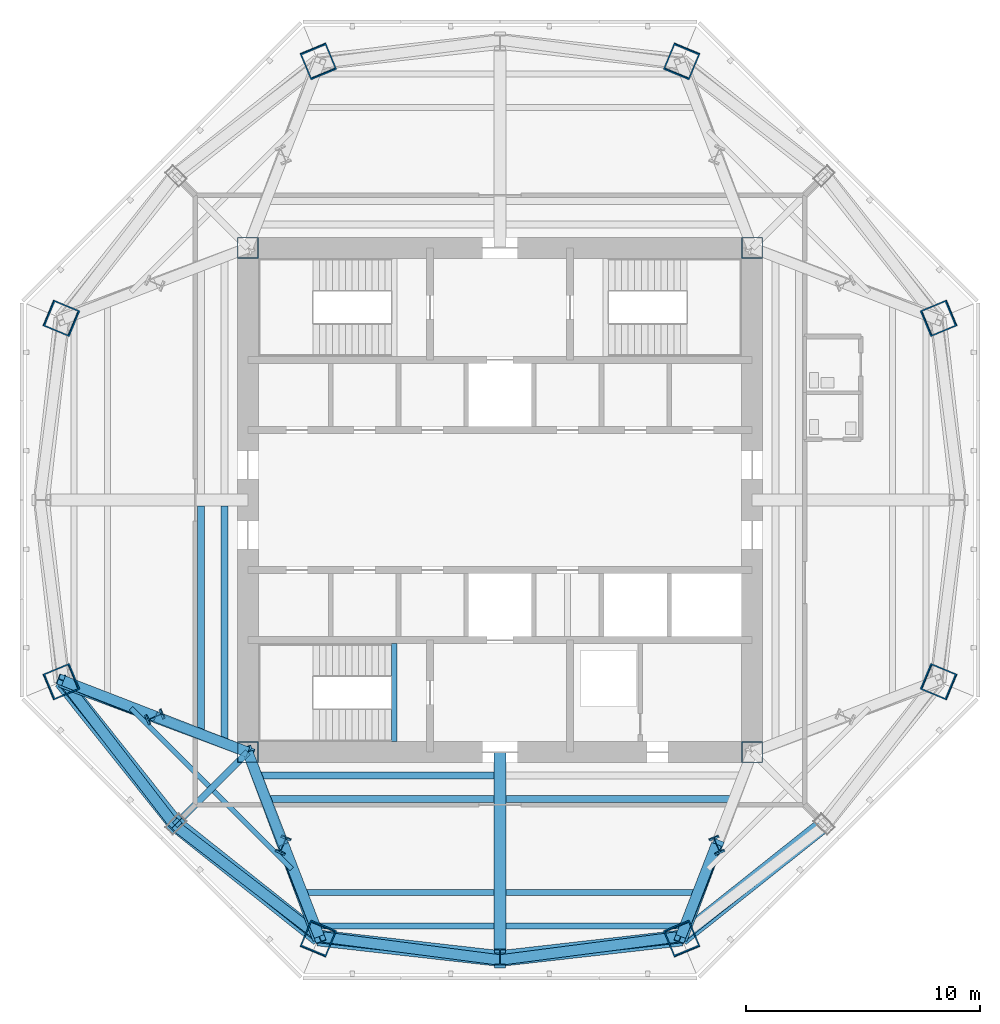
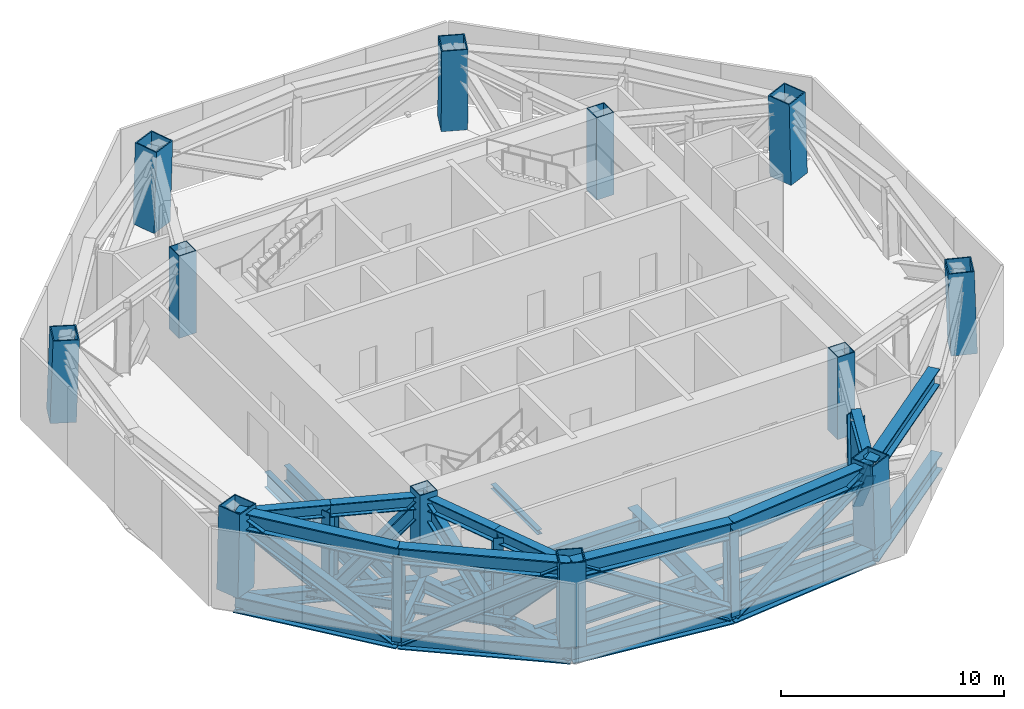
# One storey, part 1 of 9: 34 members, 14 beams, 12 columns.
"""IFC4 building model written with IfcOpenShell, lengths in metres."""

from ifc_helpers import new_model, si_unit, direction, frame, origin, origin_2d, place, context, subcontext, project, spatial, hollow_rectangle, i_section, extrude, source, transform, mapped, material, material_profile, profile_set, type_object, type_shapes, element, save


model = new_model("IFC4")

# Units and contexts
model_context = context("Model", 3, precision=1e-05, world=origin(), true_north=direction((0.0, 1.0)))
body_context = subcontext(model_context, "Body", "Model", "MODEL_VIEW")
ifc_project = project(units=[si_unit("LENGTHUNIT", "METRE"), si_unit("AREAUNIT", "SQUARE_METRE"), si_unit("VOLUMEUNIT", "CUBIC_METRE"), si_unit("PLANEANGLEUNIT", "RADIAN"), si_unit("MASSUNIT", "GRAM", prefix="KILO")], contexts=[model_context])

# Site, building, storey
site_placement = place(None, origin())
site = spatial("IfcSite", under=ifc_project, at=site_placement, CompositionType="ELEMENT")
building_placement = place(site_placement, origin())
building = spatial("IfcBuilding", under=site, at=building_placement, Name="Mashrafa Tower", CompositionType="ELEMENT")
storey_placement = place(building_placement, frame((0.0, 0.0, 266.300048828125)))
storey = spatial("IfcBuildingStorey", under=building, at=storey_placement, Name="L64", CompositionType="ELEMENT", Elevation=266.300048828125)

# Columns
ifc_material_1 = material(Name="Steel ASTM A572 Gr 50", Category="steel")
ifc_material_profile_1 = material_profile(ifc_material_1, hollow_rectangle(XDim=0.89990234375, YDim=0.89990234375, WallThickness=0.0400390625, at=origin_2d()), Name="BOX900X900X40")
ifc_profile_set_1 = profile_set([ifc_material_profile_1], Name="Steel ASTM A572 Gr 50")
column_type_1 = type_object("IfcColumnType", Name="Core corner column BOX900X900X40", PredefinedType="COLUMN", material=ifc_profile_set_1)
for number, where, z_axis, x_axis, name in (
    (1, (10.800048828125, 10.800048828125, 0.0), (0.0, 0.0, 1.0), (1.0, 0.0, 0.0), "Core corner column CC-NE L64"),
    (2, (-10.800048828125, 10.800048828125, 0.0), (0.0, 0.0, 1.0), (1.0, 0.0, 0.0), "Core corner column CC-NW L64"),
    (3, (-10.800048828125, -10.800048828125, 0.0), (0.0, 0.0, 1.0), (1.0, 0.0, 0.0), "Core corner column CC-SW L64"),
    (4, (10.800048828125, -10.800048828125, 0.0), (0.0, 0.0, 1.0), (1.0, 0.0, 0.0), "Core corner column CC-SE L64"),
):
    element("IfcColumn", number, at=place(storey_placement, frame(where, z_axis=z_axis, x_axis=x_axis)), inside=storey, type_object=column_type_1, Name=name, PredefinedType="COLUMN", context=body_context, shape_type="SweptSolid", body=[
        extrude(hollow_rectangle(XDim=0.89990234375, YDim=0.89990234375, WallThickness=0.0400390625, at=origin_2d()), origin(), (0.0, 0.0, 1.0), 4.5),
    ])
ifc_material_2 = material(Name="Steel ASTM A572 Gr 50", Category="steel")
ifc_material_profile_2 = material_profile(ifc_material_2, hollow_rectangle(XDim=1.199951171875, YDim=1.199951171875, WallThickness=0.054931640625, at=origin_2d()), Name="BOX1200X1200X55")
ifc_profile_set_2 = profile_set([ifc_material_profile_2], Name="Steel ASTM A572 Gr 50")
column_type_2 = type_object("IfcColumnType", Name="Mega column CFST BOX1200X1200X55", PredefinedType="COLUMN", material=ifc_profile_set_2)
for number, where, z_axis, x_axis, name in (
    (5, (18.80322265625, 7.78857421875, 0.0), (-0.028252835569, -0.011713267721, 0.999532178893), (0.38297812142, -0.923757413239, 0.0), "Mega column MC1 L64"),
    (6, (7.78857421875, 18.80322265625, 0.0), (-0.011713267721, -0.028252835569, 0.999532178893), (0.923757413239, -0.38297812142, 0.0), "Mega column MC2 L64"),
    (7, (-7.78857421875, 18.80322265625, 0.0), (0.011713267721, -0.028252835569, 0.999532178893), (0.923757413239, 0.38297812142, 0.0), "Mega column MC3 L64"),
    (8, (-18.80322265625, 7.78857421875, 0.0), (0.028252835569, -0.011713267721, 0.999532178893), (0.38297812142, 0.923757413239, 0.0), "Mega column MC4 L64"),
    (9, (-18.80322265625, -7.78857421875, 0.0), (0.028252835569, 0.011713267721, 0.999532178893), (-0.38297812142, 0.923757413239, 0.0), "Mega column MC5 L64"),
    (10, (-7.78857421875, -18.80322265625, 0.0), (0.011713267721, 0.028252835569, 0.999532178893), (-0.923757413239, 0.38297812142, 0.0), "Mega column MC6 L64"),
    (11, (7.78857421875, -18.80322265625, 0.0), (-0.011713267721, 0.028252835569, 0.999532178893), (-0.923757413239, -0.38297812142, 0.0), "Mega column MC7 L64"),
    (12, (18.80322265625, -7.78857421875, 0.0), (-0.028252835569, 0.011713267721, 0.999532178893), (-0.38297812142, -0.923757413239, 0.0), "Mega column MC8 L64"),
):
    element("IfcColumn", number, at=place(storey_placement, frame(where, z_axis=z_axis, x_axis=x_axis)), inside=storey, type_object=column_type_2, Name=name, PredefinedType="COLUMN", context=body_context, shape_type="SweptSolid", body=[
        extrude(hollow_rectangle(XDim=1.199951171875, YDim=1.199951171875, WallThickness=0.054931640625, at=origin_2d()), origin(), (0.0, 0.0, 1.0), 4.502197265625),
    ])

# Beams
ifc_material_3 = material(Name="Steel ASTM A572 Gr 50", Category="steel")
ifc_material_profile_3 = material_profile(ifc_material_3, i_section(OverallWidth=0.5, OverallDepth=1.10009765625, WebThickness=0.02490234375, FlangeThickness=0.050048828125, at=origin_2d()), Name="H1100X500X25X50")
ifc_profile_set_3 = profile_set([ifc_material_profile_3], Name="Steel ASTM A572 Gr 50")
beam_type_1 = type_object("IfcBeamType", Name="Beam H1100X500X25X50", PredefinedType="BEAM", material=ifc_profile_set_3)
beam_1_placement = place(storey_placement, frame((0.0, -10.800048828125, -0.800048828125), z_axis=(0.0, -1.0, 0.0), x_axis=(1.0, 0.0, 0.0)))
element("IfcBeam", 13, at=beam_1_placement, inside=storey, type_object=beam_type_1, Name="Radial girder L64 044", PredefinedType="BEAM", context=body_context, shape_type="SweptSolid", body=[
    extrude(i_section(OverallWidth=0.5, OverallDepth=1.10009765625, WebThickness=0.02490234375, FlangeThickness=0.050048828125, at=origin_2d()), origin(), (0.0, 0.0, 1.0), 8.888427734375),
])
ifc_material_4 = material(Name="Steel ASTM A992", Category="steel")
ifc_material_profile_4 = material_profile(ifc_material_4, i_section(OverallWidth=0.209228515625, OverallDepth=0.533447265625, WebThickness=0.01025390625, FlangeThickness=0.015625, FilletRadius=0.012939453125, at=origin_2d()), Name="W21X62")
ifc_profile_set_4 = profile_set([ifc_material_profile_4], Name="Steel ASTM A992")
beam_type_2 = type_object("IfcBeamType", Name="Beam W21X62", PredefinedType="BEAM", material=ifc_profile_set_4)
for number, where, z_axis, x_axis, name in (
    (14, (-12.46435546875, -12.2578125, -0.516845703125), (-0.707080903063, 0.707132658363, 0.0), (-0.707132658363, -0.707080903063, 0.0), "Floor beam L64 008"),
    (15, (-8.922119140625, -15.7998046875, -0.516845703125), (-0.707132658363, 0.707080903063, 0.0), (-0.707080903063, -0.707132658363, 0.0), "Floor beam L64 014"),
):
    element("IfcBeam", number, at=place(storey_placement, frame(where, z_axis=z_axis, x_axis=x_axis)), inside=storey, type_object=beam_type_2, Name=name, PredefinedType="BEAM", context=body_context, shape_type="SweptSolid", body=[
        extrude(i_section(OverallWidth=0.209228515625, OverallDepth=0.533447265625, WebThickness=0.01025390625, FlangeThickness=0.015625, FilletRadius=0.012939453125, at=origin_2d()), origin(), (0.0, 0.0, 1.0), 4.71728515625),
    ])
ifc_material_5 = material(Name="Steel ASTM A992", Category="steel")
ifc_material_profile_5 = material_profile(ifc_material_5, i_section(OverallWidth=0.256591796875, OverallDepth=0.693359375, WebThickness=0.014404296875, FlangeThickness=0.023681640625, FilletRadius=0.01513671875, at=origin_2d()), Name="W27X114")
ifc_profile_set_5 = profile_set([ifc_material_profile_5], Name="Steel ASTM A992")
beam_type_3 = type_object("IfcBeamType", Name="Beam W27X114", PredefinedType="BEAM", material=ifc_profile_set_5)
for number, where, z_axis, x_axis, name in (
    (16, (-0.25, -16.804931640625, -0.5966796875), (-1.0, 0.0, 0.0), (0.0, -1.0, 0.0), "Floor beam L64 018"),
    (17, (8.544677734375, -16.804931640625, -0.5966796875), (-1.0, 0.0, 0.0), (0.0, -1.0, 0.0), "Floor beam L64 026"),
):
    element("IfcBeam", number, at=place(storey_placement, frame(where, z_axis=z_axis, x_axis=x_axis)), inside=storey, type_object=beam_type_3, Name=name, PredefinedType="BEAM", context=body_context, shape_type="SweptSolid", body=[
        extrude(i_section(OverallWidth=0.256591796875, OverallDepth=0.693359375, WebThickness=0.014404296875, FlangeThickness=0.023681640625, FilletRadius=0.01513671875, at=origin_2d()), origin(), (0.0, 0.0, 1.0), 8.294677734375),
    ])
ifc_material_6 = material(Name="Steel ASTM A992", Category="steel")
ifc_material_profile_6 = material_profile(ifc_material_6, i_section(OverallWidth=0.2666015625, OverallDepth=0.75439453125, WebThickness=0.01318359375, FlangeThickness=0.01708984375, FilletRadius=0.0166015625, at=origin_2d()), Name="W30X99")
ifc_profile_set_6 = profile_set([ifc_material_profile_6], Name="Steel ASTM A992")
beam_type_4 = type_object("IfcBeamType", Name="Beam W30X99", PredefinedType="BEAM", material=ifc_profile_set_6)
for number, where, z_axis, x_axis, name in (
    (18, (-0.25, -18.24658203125, -0.627197265625), (-1.0, 0.0, 0.0), (0.0, -1.0, 0.0), "Floor beam L64 017"),
    (19, (8.003173828125, -18.24658203125, -0.627197265625), (-1.0, 0.0, 0.0), (0.0, -1.0, 0.0), "Floor beam L64 025"),
):
    element("IfcBeam", number, at=place(storey_placement, frame(where, z_axis=z_axis, x_axis=x_axis)), inside=storey, type_object=beam_type_4, Name=name, PredefinedType="BEAM", context=body_context, shape_type="SweptSolid", body=[
        extrude(i_section(OverallWidth=0.2666015625, OverallDepth=0.75439453125, WebThickness=0.01318359375, FlangeThickness=0.01708984375, FilletRadius=0.0166015625, at=origin_2d()), origin(), (0.0, 0.0, 1.0), 7.753173828125),
    ])
ifc_material_7 = material(Name="Steel ASTM A992", Category="steel")
ifc_material_profile_7 = material_profile(ifc_material_7, i_section(OverallWidth=0.2919921875, OverallDepth=0.8408203125, WebThickness=0.0146484375, FlangeThickness=0.021728515625, FilletRadius=0.017333984375, at=origin_2d()), Name="W33X130")
ifc_profile_set_7 = profile_set([ifc_material_profile_7], Name="Steel ASTM A992")
beam_type_5 = type_object("IfcBeamType", Name="Beam W33X130", PredefinedType="BEAM", material=ifc_profile_set_7)
beam_2_placement = place(storey_placement, frame((-10.800048828125, -10.800048828125, -0.67041015625), z_axis=(-0.707106781187, -0.707106781187, 0.0), x_axis=(0.707106781187, -0.707106781187, 0.0)))
element("IfcBeam", 20, at=beam_2_placement, inside=storey, type_object=beam_type_5, Name="Radial girder L64 041", PredefinedType="BEAM", context=body_context, shape_type="SweptSolid", body=[
    extrude(i_section(OverallWidth=0.2919921875, OverallDepth=0.8408203125, WebThickness=0.0146484375, FlangeThickness=0.021728515625, FilletRadius=0.017333984375, at=origin_2d()), origin(), (0.0, 0.0, 1.0), 4.4150390625),
])
ifc_material_8 = material(Name="Steel ASTM A992", Category="steel")
ifc_material_profile_8 = material_profile(ifc_material_8, i_section(OverallWidth=0.2919921875, OverallDepth=0.845703125, WebThickness=0.015380859375, FlangeThickness=0.0244140625, FilletRadius=0.017333984375, at=origin_2d()), Name="W33X141")
ifc_profile_set_8 = profile_set([ifc_material_profile_8], Name="Steel ASTM A992")
beam_type_6 = type_object("IfcBeamType", Name="Beam W33X141", PredefinedType="BEAM", material=ifc_profile_set_8)
beam_3_placement = place(storey_placement, frame((-12.804931640625, -10.047119140625, -0.6728515625), z_axis=(0.0, 1.0, 0.0), x_axis=(-1.0, 0.0, 0.0)))
element("IfcBeam", 21, at=beam_3_placement, inside=storey, type_object=beam_type_6, Name="Floor beam L64 006", PredefinedType="BEAM", context=body_context, shape_type="SweptSolid", body=[
    extrude(i_section(OverallWidth=0.2919921875, OverallDepth=0.845703125, WebThickness=0.015380859375, FlangeThickness=0.0244140625, FilletRadius=0.017333984375, at=origin_2d()), origin(), (0.0, 0.0, 1.0), 9.797119140625),
])
beam_4_placement = place(storey_placement, frame((-11.802490234375, -10.423583984375, -0.6728515625), z_axis=(0.0, 1.0, 0.0), x_axis=(-1.0, 0.0, 0.0)))
element("IfcBeam", 22, at=beam_4_placement, inside=storey, type_object=beam_type_6, Name="Floor beam L64 010", PredefinedType="BEAM", context=body_context, shape_type="SweptSolid", body=[
    extrude(i_section(OverallWidth=0.2919921875, OverallDepth=0.845703125, WebThickness=0.015380859375, FlangeThickness=0.0244140625, FilletRadius=0.017333984375, at=origin_2d()), origin(), (0.0, 0.0, 1.0), 10.173583984375),
])
beam_5_placement = place(storey_placement, frame((-0.25, -12.804931640625, -0.6728515625), z_axis=(-1.0, 0.0, 0.0), x_axis=(0.0, -1.0, 0.0)))
element("IfcBeam", 23, at=beam_5_placement, inside=storey, type_object=beam_type_6, Name="Floor beam L64 019", PredefinedType="BEAM", context=body_context, shape_type="SweptSolid", body=[
    extrude(i_section(OverallWidth=0.2919921875, OverallDepth=0.845703125, WebThickness=0.015380859375, FlangeThickness=0.0244140625, FilletRadius=0.017333984375, at=origin_2d()), origin(), (0.0, 0.0, 1.0), 9.797119140625),
])
beam_6_placement = place(storey_placement, frame((-0.25, -11.802490234375, -0.6728515625), z_axis=(-1.0, 0.0, 0.0), x_axis=(0.0, -1.0, 0.0)))
element("IfcBeam", 24, at=beam_6_placement, inside=storey, type_object=beam_type_6, Name="Floor beam L64 020", PredefinedType="BEAM", context=body_context, shape_type="SweptSolid", body=[
    extrude(i_section(OverallWidth=0.2919921875, OverallDepth=0.845703125, WebThickness=0.015380859375, FlangeThickness=0.0244140625, FilletRadius=0.017333984375, at=origin_2d()), origin(), (0.0, 0.0, 1.0), 10.173583984375),
])
beam_7_placement = place(storey_placement, frame((10.047119140625, -12.804931640625, -0.6728515625), z_axis=(-1.0, 0.0, 0.0), x_axis=(0.0, -1.0, 0.0)))
element("IfcBeam", 25, at=beam_7_placement, inside=storey, type_object=beam_type_6, Name="Floor beam L64 028", PredefinedType="BEAM", context=body_context, shape_type="SweptSolid", body=[
    extrude(i_section(OverallWidth=0.2919921875, OverallDepth=0.845703125, WebThickness=0.015380859375, FlangeThickness=0.0244140625, FilletRadius=0.017333984375, at=origin_2d()), origin(), (0.0, 0.0, 1.0), 9.797119140625),
])
ifc_material_9 = material(Name="Steel ASTM A992", Category="steel")
ifc_material_profile_9 = material_profile(ifc_material_9, i_section(OverallWidth=0.25390625, OverallDepth=0.25390625, WebThickness=0.008544921875, FlangeThickness=0.01416015625, FilletRadius=0.010009765625, at=origin_2d()), Name="W10X49")
ifc_profile_set_9 = profile_set([ifc_material_profile_9], Name="Steel ASTM A992")
beam_type_7 = type_object("IfcBeamType", Name="Hoistway beam W10X49", PredefinedType="BEAM", material=ifc_profile_set_9)
beam_8_placement = place(storey_placement, frame((-4.530029296875, -10.35009765625, -0.376953125), z_axis=(0.0, 1.0, 0.0), x_axis=(-1.0, 0.0, 0.0)))
element("IfcBeam", 26, at=beam_8_placement, inside=storey, type_object=beam_type_7, Name="Stair S3 landing beam L64", PredefinedType="BEAM", context=body_context, shape_type="SweptSolid", body=[
    extrude(i_section(OverallWidth=0.25390625, OverallDepth=0.25390625, WebThickness=0.008544921875, FlangeThickness=0.01416015625, FilletRadius=0.010009765625, at=origin_2d()), origin(), (0.0, 0.0, 1.0), 4.2001953125),
])

# Members
ifc_material_10 = material(Name="Steel ASTM A572 Gr 50", Category="steel")
ifc_material_profile_10 = material_profile(ifc_material_10, i_section(OverallWidth=0.550048828125, OverallDepth=0.89990234375, WebThickness=0.034912109375, FlangeThickness=0.06005859375, at=origin_2d()), Name="H900X550X35X60")
ifc_profile_set_10 = profile_set([ifc_material_profile_10], Name="Steel ASTM A572 Gr 50")
member_type_1 = type_object("IfcMemberType", Name="Belt truss chord H900X550X35X60", PredefinedType="CHORD", material=ifc_profile_set_10)
shared_shape_1 = source(origin(), body_context, "Body", "SweptSolid", [
    extrude(i_section(OverallWidth=0.550048828125, OverallDepth=0.89990234375, WebThickness=0.034912109375, FlangeThickness=0.06005859375, at=origin_2d()), origin(), (0.0, 0.0, 1.0), 7.84619140625),
])
for number, where, z_axis, x_axis, name in (
    (27, (-7.796875, -18.822998046875, -0.699951171875), (0.993716789275, -0.111923825495, 0.0), (0.111923825495, 0.993716789275, 0.0), "Belt truss bottom chord south face L64 right"),
    (28, (7.796875, -18.822998046875, -0.699951171875), (-0.993716789275, -0.111923825495, 0.0), (0.111923825495, -0.993716789275, 0.0), "Belt truss bottom chord south face L64 left"),
):
    element("IfcMember", number, at=place(storey_placement, frame(where, z_axis=z_axis, x_axis=x_axis)), inside=storey, type_object=member_type_1, Name=name, PredefinedType="CHORD", context=body_context, shape_type="MappedRepresentation", body=[
        mapped(shared_shape_1, transform((0.0, 0.0, 0.0))),
    ])
shared_shape_2 = source(origin(), body_context, "Body", "SweptSolid", [
    extrude(i_section(OverallWidth=0.550048828125, OverallDepth=0.89990234375, WebThickness=0.034912109375, FlangeThickness=0.06005859375, at=origin_2d()), origin(), (0.0, 0.0, 1.0), 7.79296875),
])
for number, where, z_axis, x_axis, name in (
    (29, (-7.743408203125, -18.6943359375, 3.849853515625), (0.993630551017, -0.11268685853, 0.0), (0.11268685853, 0.993630551017, 0.0), "Belt truss top chord south face L64 right"),
    (30, (7.743408203125, -18.6943359375, 3.849853515625), (-0.993630551017, -0.11268685853, 0.0), (0.11268685853, -0.993630551017, 0.0), "Belt truss top chord south face L64 left"),
):
    element("IfcMember", number, at=place(storey_placement, frame(where, z_axis=z_axis, x_axis=x_axis)), inside=storey, type_object=member_type_1, Name=name, PredefinedType="CHORD", context=body_context, shape_type="MappedRepresentation", body=[
        mapped(shared_shape_2, transform((0.0, 0.0, 0.0))),
    ])
ifc_material_11 = material(Name="Steel ASTM A572 Gr 50", Category="steel")
ifc_material_profile_11 = material_profile(ifc_material_11, i_section(OverallWidth=0.449951171875, OverallDepth=0.699951171875, WebThickness=0.028076171875, FlangeThickness=0.044921875, at=origin_2d()), Name="H700X450X28X45")
ifc_profile_set_11 = profile_set([ifc_material_profile_11], Name="Steel ASTM A572 Gr 50")
member_type_2 = type_object("IfcMemberType", Name="Belt truss post H700X450X28X45", PredefinedType="POST", material=ifc_profile_set_11)
shared_shape_3 = source(origin(), body_context, "Body", "SweptSolid", [
    extrude(i_section(OverallWidth=0.449951171875, OverallDepth=0.699951171875, WebThickness=0.028076171875, FlangeThickness=0.044921875, at=origin_2d()), origin(), (0.0, 0.0, 1.0), 4.551513671875),
])
type_shapes(member_type_2, [shared_shape_3])
for number, where, z_axis, x_axis, name in (
    (31, (-13.930908203125, -13.930908203125, -0.699951171875), (0.020007011455, 0.020007011455, 0.999599639348), (-0.707106781187, 0.707106781187, 0.0), "Belt truss post south-west face L64"),
    (32, (0.0, -19.701171875, -0.699951171875), (0.0, 0.02826730043, 0.999600400023), (-1.0, 0.0, 0.0), "Belt truss post south face L64"),
):
    element("IfcMember", number, at=place(storey_placement, frame(where, z_axis=z_axis, x_axis=x_axis)), inside=storey, type_object=member_type_2, Name=name, PredefinedType="POST", context=body_context, shape_type="MappedRepresentation", body=[
        mapped(shared_shape_3, transform((0.0, 0.0, 0.0))),
    ])
ifc_material_12 = material(Name="Steel ASTM A572 Gr 50", Category="steel")
ifc_material_profile_12 = material_profile(ifc_material_12, i_section(OverallWidth=0.449951171875, OverallDepth=0.699951171875, WebThickness=0.028076171875, FlangeThickness=0.044921875, at=origin_2d()), Name="H700X450X28X45")
ifc_profile_set_12 = profile_set([ifc_material_profile_12], Name="Steel ASTM A572 Gr 50")
member_type_3 = type_object("IfcMemberType", Name="Belt truss diagonal H700X450X28X45", PredefinedType="BRACE", material=ifc_profile_set_12)
shared_shape_4 = source(origin(), body_context, "Body", "SweptSolid", [
    extrude(i_section(OverallWidth=0.449951171875, OverallDepth=0.699951171875, WebThickness=0.028076171875, FlangeThickness=0.044921875, at=origin_2d()), origin(), (0.0, 0.0, 1.0), 9.037353515625),
])
for number, where, z_axis, x_axis, name in (
    (33, (0.0, -19.701171875, -0.699951171875), (-0.856817015897, 0.111407553475, 0.503441117012), (-0.128939519585, -0.991652459428, 0.0), "Belt truss diagonal south face L64 right"),
    (34, (0.0, -19.701171875, -0.699951171875), (0.856817015897, 0.111407553475, 0.503441117012), (-0.128939519585, 0.991652459428, 0.0), "Belt truss diagonal south face L64 left"),
):
    element("IfcMember", number, at=place(storey_placement, frame(where, z_axis=z_axis, x_axis=x_axis)), inside=storey, type_object=member_type_3, Name=name, PredefinedType="BRACE", context=body_context, shape_type="MappedRepresentation", body=[
        mapped(shared_shape_4, transform((0.0, 0.0, 0.0))),
    ])
shared_shape_5 = source(origin(), body_context, "Body", "SweptSolid", [
    extrude(i_section(OverallWidth=0.550048828125, OverallDepth=0.89990234375, WebThickness=0.034912109375, FlangeThickness=0.06005859375, at=origin_2d()), origin(), (0.0, 0.0, 1.0), 7.845947265625),
])
for number, where, z_axis, x_axis, name in (
    (35, (-18.822998046875, -7.796875, -0.699951171875), (0.623517972733, -0.781809016115, 0.0), (0.781809016115, 0.623517972733, 0.0), "Belt truss bottom chord south-west face L64 right"),
    (36, (-7.796875, -18.822998046875, -0.699951171875), (-0.781809016115, 0.623517972733, 0.0), (-0.623517972733, -0.781809016115, 0.0), "Belt truss bottom chord south-west face L64 left"),
    (37, (7.796875, -18.822998046875, -0.699951171875), (0.781809016115, 0.623517972733, 0.0), (-0.623517972733, 0.781809016115, 0.0), "Belt truss bottom chord south-east face L64 right"),
):
    element("IfcMember", number, at=place(storey_placement, frame(where, z_axis=z_axis, x_axis=x_axis)), inside=storey, type_object=member_type_1, Name=name, PredefinedType="CHORD", context=body_context, shape_type="MappedRepresentation", body=[
        mapped(shared_shape_5, transform((0.0, 0.0, 0.0))),
    ])
shared_shape_6 = source(origin(), body_context, "Body", "SweptSolid", [
    extrude(i_section(OverallWidth=0.550048828125, OverallDepth=0.89990234375, WebThickness=0.034912109375, FlangeThickness=0.06005859375, at=origin_2d()), origin(), (0.0, 0.0, 1.0), 7.793212890625),
])
type_shapes(member_type_1, [shared_shape_1, shared_shape_2, shared_shape_5, shared_shape_6])
for number, where, z_axis, x_axis, name in (
    (38, (-18.6943359375, -7.743408203125, 3.849853515625), (0.622920746313, -0.782284950522, 0.0), (0.782284950522, 0.622920746313, 0.0), "Belt truss top chord south-west face L64 right"),
    (39, (-7.743408203125, -18.6943359375, 3.849853515625), (-0.782284950522, 0.622920746313, 0.0), (-0.622920746313, -0.782284950522, 0.0), "Belt truss top chord south-west face L64 left"),
    (40, (7.743408203125, -18.6943359375, 3.849853515625), (0.782284950522, 0.622920746313, 0.0), (-0.622920746313, 0.782284950522, 0.0), "Belt truss top chord south-east face L64 right"),
):
    element("IfcMember", number, at=place(storey_placement, frame(where, z_axis=z_axis, x_axis=x_axis)), inside=storey, type_object=member_type_1, Name=name, PredefinedType="CHORD", context=body_context, shape_type="MappedRepresentation", body=[
        mapped(shared_shape_6, transform((0.0, 0.0, 0.0))),
    ])
shared_shape_7 = source(origin(), body_context, "Body", "SweptSolid", [
    extrude(i_section(OverallWidth=0.449951171875, OverallDepth=0.699951171875, WebThickness=0.028076171875, FlangeThickness=0.044921875, at=origin_2d()), origin(), (0.0, 0.0, 1.0), 9.03759765625),
])
type_shapes(member_type_3, [shared_shape_4, shared_shape_7])
for number, where, z_axis, x_axis, name in (
    (41, (-13.930908203125, -13.930908203125, -0.699951171875), (-0.527074523053, 0.684648491223, 0.503437077116), (-0.792387987092, -0.610017440662, 0.0), "Belt truss diagonal south-west face L64 right"),
    (42, (-13.930908203125, -13.930908203125, -0.699951171875), (0.684648491223, -0.527074523053, 0.503437077116), (0.610017440662, 0.792387987092, 0.0), "Belt truss diagonal south-west face L64 left"),
):
    element("IfcMember", number, at=place(storey_placement, frame(where, z_axis=z_axis, x_axis=x_axis)), inside=storey, type_object=member_type_3, Name=name, PredefinedType="BRACE", context=body_context, shape_type="MappedRepresentation", body=[
        mapped(shared_shape_7, transform((0.0, 0.0, 0.0))),
    ])
ifc_material_13 = material(Name="Steel ASTM A572 Gr 50", Category="steel")
ifc_material_profile_13 = material_profile(ifc_material_13, i_section(OverallWidth=0.449951171875, OverallDepth=0.699951171875, WebThickness=0.028076171875, FlangeThickness=0.044921875, at=origin_2d()), Name="H700X450X28X45")
ifc_profile_set_13 = profile_set([ifc_material_profile_13], Name="Steel ASTM A572 Gr 50")
member_type_4 = type_object("IfcMemberType", Name="Outrigger chord H700X450X28X45", PredefinedType="CHORD", material=ifc_profile_set_13)
shared_shape_8 = source(origin(), body_context, "Body", "SweptSolid", [
    extrude(i_section(OverallWidth=0.449951171875, OverallDepth=0.699951171875, WebThickness=0.028076171875, FlangeThickness=0.044921875, at=origin_2d()), origin(), (0.0, 0.0, 1.0), 4.283447265625),
])
for number, where, z_axis, x_axis, name in (
    (43, (-10.800048828125, -10.800048828125, -0.699951171875), (-0.936528128363, 0.350592448272, 0.0), (-0.350592448272, -0.936528128363, 0.0), "Outrigger bottom chord MC5 L64 core end"),
    (44, (-10.800048828125, -10.800048828125, -0.699951171875), (0.350592448272, -0.936528128363, 0.0), (0.936528128363, 0.350592448272, 0.0), "Outrigger bottom chord MC6 L64 core end"),
):
    element("IfcMember", number, at=place(storey_placement, frame(where, z_axis=z_axis, x_axis=x_axis)), inside=storey, type_object=member_type_4, Name=name, PredefinedType="CHORD", context=body_context, shape_type="MappedRepresentation", body=[
        mapped(shared_shape_8, transform((0.0, 0.0, 0.0))),
    ])
shared_shape_9 = source(origin(), body_context, "Body", "SweptSolid", [
    extrude(i_section(OverallWidth=0.449951171875, OverallDepth=0.699951171875, WebThickness=0.028076171875, FlangeThickness=0.044921875, at=origin_2d()), origin(), (0.0, 0.0, 1.0), 4.283203125),
])
for number, where, z_axis, x_axis, name in (
    (45, (-14.8115234375, -9.29833984375, -0.699951171875), (-0.936546841988, 0.350542455007, 0.0), (-0.350542455007, -0.936546841988, 0.0), "Outrigger bottom chord MC5 L64 column end"),
    (46, (-9.29833984375, -14.8115234375, -0.699951171875), (0.350542455007, -0.936546841988, 0.0), (0.936546841988, 0.350542455007, 0.0), "Outrigger bottom chord MC6 L64 column end"),
    (47, (9.29833984375, -14.8115234375, -0.699951171875), (-0.350542455007, -0.936546841988, 0.0), (0.936546841988, -0.350542455007, 0.0), "Outrigger bottom chord MC7 L64 column end"),
):
    element("IfcMember", number, at=place(storey_placement, frame(where, z_axis=z_axis, x_axis=x_axis)), inside=storey, type_object=member_type_4, Name=name, PredefinedType="CHORD", context=body_context, shape_type="MappedRepresentation", body=[
        mapped(shared_shape_9, transform((0.0, 0.0, 0.0))),
    ])
shared_shape_10 = source(origin(), body_context, "Body", "SweptSolid", [
    extrude(i_section(OverallWidth=0.449951171875, OverallDepth=0.699951171875, WebThickness=0.028076171875, FlangeThickness=0.044921875, at=origin_2d()), origin(), (0.0, 0.0, 1.0), 4.232666015625),
])
for number, where, z_axis, x_axis, name in (
    (48, (-10.800048828125, -10.800048828125, 3.849853515625), (-0.93253301531, 0.36108472047, 0.0), (-0.36108472047, -0.93253301531, 0.0), "Outrigger top chord MC5 L64 core end"),
    (49, (-10.800048828125, -10.800048828125, 3.849853515625), (0.36108472047, -0.93253301531, 0.0), (0.93253301531, 0.36108472047, 0.0), "Outrigger top chord MC6 L64 core end"),
):
    element("IfcMember", number, at=place(storey_placement, frame(where, z_axis=z_axis, x_axis=x_axis)), inside=storey, type_object=member_type_4, Name=name, PredefinedType="CHORD", context=body_context, shape_type="MappedRepresentation", body=[
        mapped(shared_shape_10, transform((0.0, 0.0, 0.0))),
    ])
shared_shape_11 = source(origin(), body_context, "Body", "SweptSolid", [
    extrude(i_section(OverallWidth=0.449951171875, OverallDepth=0.699951171875, WebThickness=0.028076171875, FlangeThickness=0.044921875, at=origin_2d()), origin(), (0.0, 0.0, 1.0), 4.23291015625),
])
type_shapes(member_type_4, [shared_shape_8, shared_shape_9, shared_shape_10, shared_shape_11])
for number, where, z_axis, x_axis, name in (
    (50, (-14.7470703125, -9.271728515625, 3.849853515625), (-0.932540535312, 0.361065298803, 0.0), (-0.361065298803, -0.932540535312, 0.0), "Outrigger top chord MC5 L64 column end"),
    (51, (-9.271728515625, -14.7470703125, 3.849853515625), (0.361065298803, -0.932540535312, 0.0), (0.932540535312, 0.361065298803, 0.0), "Outrigger top chord MC6 L64 column end"),
    (52, (9.271728515625, -14.7470703125, 3.849853515625), (-0.361065298803, -0.932540535312, 0.0), (0.932540535312, -0.361065298803, 0.0), "Outrigger top chord MC7 L64 column end"),
):
    element("IfcMember", number, at=place(storey_placement, frame(where, z_axis=z_axis, x_axis=x_axis)), inside=storey, type_object=member_type_4, Name=name, PredefinedType="CHORD", context=body_context, shape_type="MappedRepresentation", body=[
        mapped(shared_shape_11, transform((0.0, 0.0, 0.0))),
    ])
ifc_material_14 = material(Name="Steel ASTM A572 Gr 50", Category="steel")
ifc_material_profile_14 = material_profile(ifc_material_14, i_section(OverallWidth=0.449951171875, OverallDepth=0.699951171875, WebThickness=0.028076171875, FlangeThickness=0.044921875, at=origin_2d()), Name="H700X450X28X45")
ifc_profile_set_14 = profile_set([ifc_material_profile_14], Name="Steel ASTM A572 Gr 50")
member_type_5 = type_object("IfcMemberType", Name="Outrigger post H700X450X28X45", PredefinedType="POST", material=ifc_profile_set_14)
shared_shape_12 = source(origin(), body_context, "Body", "SweptSolid", [
    extrude(i_section(OverallWidth=0.449951171875, OverallDepth=0.699951171875, WebThickness=0.028076171875, FlangeThickness=0.044921875, at=origin_2d()), origin(), (0.0, 0.0, 1.0), 4.55029296875),
])
type_shapes(member_type_5, [shared_shape_12])
for number, where, z_axis, x_axis, name in (
    (53, (-14.8115234375, -9.29833984375, -0.699951171875), (0.014164466631, 0.005848207814, 0.999882576281), (-0.381630110343, 0.924315129639, 0.0), "Outrigger post MC5 L64"),
    (54, (-9.29833984375, -14.8115234375, -0.699951171875), (0.005848207814, 0.014164466631, 0.999882576281), (-0.924315129639, 0.381630110343, 0.0), "Outrigger post MC6 L64"),
    (55, (9.29833984375, -14.8115234375, -0.699951171875), (-0.005848207814, 0.014164466631, 0.999882576281), (-0.924315129639, -0.381630110343, 0.0), "Outrigger post MC7 L64"),
):
    element("IfcMember", number, at=place(storey_placement, frame(where, z_axis=z_axis, x_axis=x_axis)), inside=storey, type_object=member_type_5, Name=name, PredefinedType="POST", context=body_context, shape_type="MappedRepresentation", body=[
        mapped(shared_shape_12, transform((0.0, 0.0, 0.0))),
    ])
ifc_material_15 = material(Name="Steel ASTM A572 Gr 50", Category="steel")
ifc_material_profile_15 = material_profile(ifc_material_15, i_section(OverallWidth=0.449951171875, OverallDepth=0.699951171875, WebThickness=0.028076171875, FlangeThickness=0.044921875, at=origin_2d()), Name="H700X450X28X45")
ifc_profile_set_15 = profile_set([ifc_material_profile_15], Name="Steel ASTM A572 Gr 50")
member_type_6 = type_object("IfcMemberType", Name="Outrigger diagonal H700X450X28X45", PredefinedType="BRACE", material=ifc_profile_set_15)
shared_shape_13 = source(origin(), body_context, "Body", "SweptSolid", [
    extrude(i_section(OverallWidth=0.449951171875, OverallDepth=0.699951171875, WebThickness=0.028076171875, FlangeThickness=0.044921875, at=origin_2d()), origin(), (0.0, 0.0, 1.0), 6.248779296875),
])
for number, where, z_axis, x_axis, name in (
    (56, (-14.8115234375, -9.29833984375, -0.699951171875), (0.641956894726, -0.240318718244, 0.72810593939), (0.350592448272, 0.936528128363, 0.0), "Outrigger diagonal MC5 L64 core end"),
    (57, (-9.29833984375, -14.8115234375, -0.699951171875), (-0.240318718244, 0.641956894726, 0.72810593939), (-0.936528128363, -0.350592448272, 0.0), "Outrigger diagonal MC6 L64 core end"),
):
    element("IfcMember", number, at=place(storey_placement, frame(where, z_axis=z_axis, x_axis=x_axis)), inside=storey, type_object=member_type_6, Name=name, PredefinedType="BRACE", context=body_context, shape_type="MappedRepresentation", body=[
        mapped(shared_shape_13, transform((0.0, 0.0, 0.0))),
    ])
shared_shape_14 = source(origin(), body_context, "Body", "SweptSolid", [
    extrude(i_section(OverallWidth=0.449951171875, OverallDepth=0.699951171875, WebThickness=0.028076171875, FlangeThickness=0.044921875, at=origin_2d()), origin(), (0.0, 0.0, 1.0), 6.18017578125),
])
type_shapes(member_type_6, [shared_shape_13, shared_shape_14])
for number, where, z_axis, x_axis, name in (
    (58, (-14.8115234375, -9.29833984375, -0.699951171875), (-0.628267335631, 0.251599261861, 0.736191528347), (-0.37176301132, -0.928327670284, 0.0), "Outrigger diagonal MC5 L64 column end"),
    (59, (-9.29833984375, -14.8115234375, -0.699951171875), (0.251599261861, -0.628267335631, 0.736191528347), (0.928327670284, 0.37176301132, 0.0), "Outrigger diagonal MC6 L64 column end"),
    (60, (9.29833984375, -14.8115234375, -0.699951171875), (-0.251599261861, -0.628267335631, 0.736191528347), (0.928327670284, -0.37176301132, 0.0), "Outrigger diagonal MC7 L64 column end"),
):
    element("IfcMember", number, at=place(storey_placement, frame(where, z_axis=z_axis, x_axis=x_axis)), inside=storey, type_object=member_type_6, Name=name, PredefinedType="BRACE", context=body_context, shape_type="MappedRepresentation", body=[
        mapped(shared_shape_14, transform((0.0, 0.0, 0.0))),
    ])

save(model, "model.ifc")
